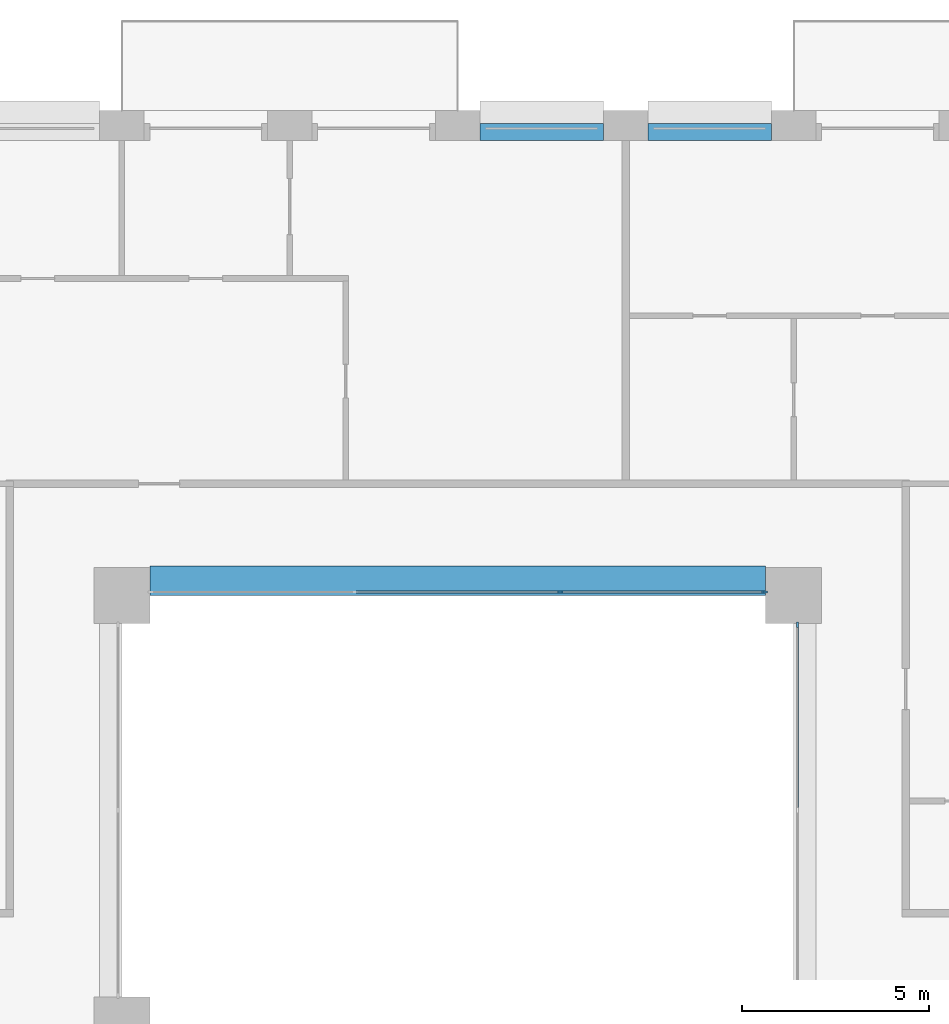
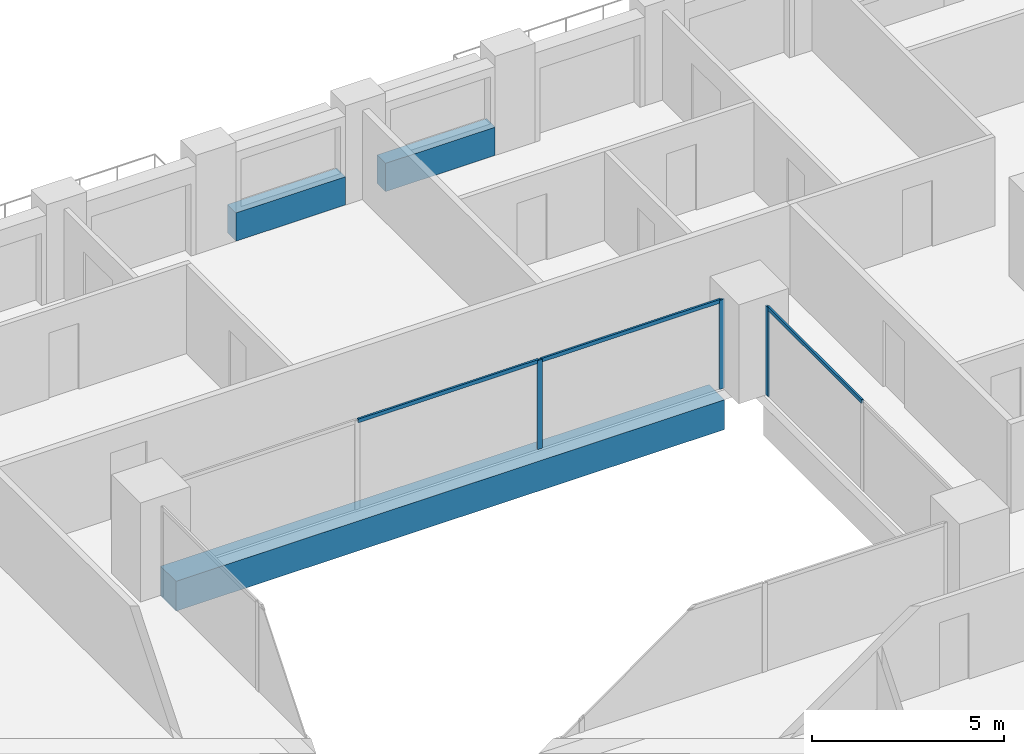
# One storey, part 7 of 20: 6 members, 3 beams, 2 elements without a shape of their own.
"""IFC4 building model written with IfcOpenShell, lengths in metres."""

from ifc_helpers import new_model, si_unit, direction, frame, origin, origin_2d, place, context, subcontext, project, spatial, rectangle, extrude, material, layer, layer_set, material_profile, profile_set, type_object, element, aggregate, save


model = new_model("IFC4")

# Units and contexts
model_context = context("Model", 3, precision=1e-05, world=origin(), true_north=direction((0.0, 1.0)))
body_context = subcontext(model_context, "Body", "Model", "MODEL_VIEW")
ifc_project = project(units=[si_unit("LENGTHUNIT", "METRE"), si_unit("AREAUNIT", "SQUARE_METRE"), si_unit("VOLUMEUNIT", "CUBIC_METRE"), si_unit("PLANEANGLEUNIT", "RADIAN"), si_unit("MASSUNIT", "GRAM", prefix="KILO")], contexts=[model_context])

# Site, building, storey
site_placement = place(None, origin())
site = spatial("IfcSite", under=ifc_project, at=site_placement, CompositionType="ELEMENT")
building_placement = place(site_placement, origin())
building = spatial("IfcBuilding", under=site, at=building_placement, Name="Brigalow Station Residences", CompositionType="ELEMENT")
storey_placement = place(building_placement, frame((0.0, 0.0, 41.550048828125)))
storey = spatial("IfcBuildingStorey", under=building, at=storey_placement, Name="L11", CompositionType="ELEMENT", Elevation=41.550048828125)

# Beam
ifc_material_1 = material(Name="Concrete C65", Category="concrete")
ifc_material_profile_1 = material_profile(ifc_material_1, rectangle(XDim=0.800048828125, YDim=0.949951171875, at=origin_2d()), Name="RC800x950")
ifc_profile_set_1 = profile_set([ifc_material_profile_1], Name="Concrete C65")
beam_type_1 = type_object("IfcBeamType", Name="ATRIUM EDGE GIRDER OVER 13.5 M SPAN 800x950 C65", PredefinedType="BEAM", material=ifc_profile_set_1)
beam_placement = place(storey_placement, frame((27.75, 35.89990234375, -0.795166015625), z_axis=(1.0, 0.0, 0.0), x_axis=(0.0, 1.0, 0.0)))
element("IfcBeam", 1, at=beam_placement, inside=storey, type_object=beam_type_1, Name="ATRIUM EDGE GIRDER D L11", PredefinedType="BEAM", context=body_context, shape_type="SweptSolid", body=[
    extrude(rectangle(XDim=0.800048828125, YDim=0.949951171875, at=origin_2d()), origin(), (0.0, 0.0, 1.0), 16.5),
])

# Curtain wall, member
ifc_material_2 = material(Name="Aluminium", Category="aluminium")
ifc_layer = layer(ifc_material_2, 0.14990234375)
ifc_layer_set = layer_set([ifc_layer], Name="ATRIUM FIRE-RATED GLAZING CURTAIN WALL")
curtain_wall_type = type_object("IfcCurtainWallType", Name="ATRIUM FIRE-RATED GLAZING CURTAIN WALL", PredefinedType="NOTDEFINED", material=ifc_layer_set)
curtain_wall_1_placement = place(storey_placement, origin())
curtain_wall_1 = element("IfcCurtainWall", 2, at=curtain_wall_1_placement, inside=storey, type_object=curtain_wall_type, Name="L11/cw/atrium-E", PredefinedType="NOTDEFINED")
ifc_material_3 = material(Name="Aluminium", Category="aluminium")
ifc_material_profile_2 = material_profile(ifc_material_3, rectangle(XDim=0.06005859375, YDim=0.14990234375, at=origin_2d()), Name="ATRIUM FIRE-RATED GLAZING MULLION 60x150")
ifc_profile_set_2 = profile_set([ifc_material_profile_2], Name="Aluminium")
member_type_1 = type_object("IfcMemberType", Name="ATRIUM FIRE-RATED GLAZING MULLION 60x150", PredefinedType="MULLION", material=ifc_profile_set_2)
member_1_placement = place(storey_placement, frame((45.10009765625, 34.719970703125, 0.0), z_axis=(0.0, 0.0, 1.0), x_axis=(-1.0, 0.0, 0.0)))
member_1 = element("IfcMember", 3, at=member_1_placement, type_object=member_type_1, Name="L11/cw/atrium-E/M02", PredefinedType="MULLION", context=body_context, shape_type="SweptSolid", body=[
    extrude(rectangle(XDim=0.06005859375, YDim=0.14990234375, at=origin_2d()), origin(), (0.0, 0.0, 1.0), 2.829833984375),
])

# Curtain wall, members
curtain_wall_2_placement = place(storey_placement, origin())
curtain_wall_2 = element("IfcCurtainWall", 4, at=curtain_wall_2_placement, inside=storey, type_object=curtain_wall_type, Name="L11/cw/atrium-N", PredefinedType="NOTDEFINED")
member_2_placement = place(storey_placement, frame((44.219970703125, 35.60009765625, 0.0), z_axis=(0.0, 0.0, 1.0), x_axis=(0.0, -1.0, 0.0)))
member_2 = element("IfcMember", 5, at=member_2_placement, type_object=member_type_1, Name="L11/cw/atrium-N/M00", PredefinedType="MULLION", context=body_context, shape_type="SweptSolid", body=[
    extrude(rectangle(XDim=0.06005859375, YDim=0.14990234375, at=origin_2d()), origin(), (0.0, 0.0, 1.0), 2.829833984375),
])
member_3_placement = place(storey_placement, frame((38.75, 35.60009765625, 0.0), z_axis=(0.0, 0.0, 1.0), x_axis=(0.0, -1.0, 0.0)))
member_3 = element("IfcMember", 6, at=member_3_placement, type_object=member_type_1, Name="L11/cw/atrium-N/M01", PredefinedType="MULLION", context=body_context, shape_type="SweptSolid", body=[
    extrude(rectangle(XDim=0.06005859375, YDim=0.14990234375, at=origin_2d()), origin(), (0.0, 0.0, 1.0), 2.829833984375),
])

# Member
ifc_material_4 = material(Name="Aluminium", Category="aluminium")
ifc_material_profile_3 = material_profile(ifc_material_4, rectangle(XDim=0.06005859375, YDim=0.1201171875, at=origin_2d()), Name="ATRIUM FIRE-RATED GLAZING TRANSOM 60x120")
ifc_profile_set_3 = profile_set([ifc_material_profile_3], Name="Aluminium")
member_type_2 = type_object("IfcMemberType", Name="ATRIUM FIRE-RATED GLAZING TRANSOM 60x120", PredefinedType="USERDEFINED", material=ifc_profile_set_3)
member_4_placement = place(storey_placement, frame((45.10009765625, 29.780029296875, 2.800048828125), z_axis=(0.0, 1.0, 0.0), x_axis=(-1.0, 0.0, 0.0)))
member_4 = element("IfcMember", 7, at=member_4_placement, type_object=member_type_2, Name="L11/cw/atrium-E/T01-00", ObjectType="TRANSOM", PredefinedType="USERDEFINED", context=body_context, shape_type="SweptSolid", body=[
    extrude(rectangle(XDim=0.06005859375, YDim=0.1201171875, at=origin_2d()), origin(), (0.0, 0.0, 1.0), 4.909912109375),
])

aggregate(curtain_wall_1, [member_1, member_4])

member_5_placement = place(storey_placement, frame((44.18994140625, 35.60009765625, 2.800048828125), z_axis=(-1.0, 0.0, 0.0), x_axis=(0.0, -1.0, 0.0)))
member_5 = element("IfcMember", 8, at=member_5_placement, type_object=member_type_2, Name="L11/cw/atrium-N/T00-00", ObjectType="TRANSOM", PredefinedType="USERDEFINED", context=body_context, shape_type="SweptSolid", body=[
    extrude(rectangle(XDim=0.06005859375, YDim=0.1201171875, at=origin_2d()), origin(), (0.0, 0.0, 1.0), 5.409912109375),
])

member_6_placement = place(storey_placement, frame((38.719970703125, 35.60009765625, 2.800048828125), z_axis=(-1.0, 0.0, 0.0), x_axis=(0.0, -1.0, 0.0)))
member_6 = element("IfcMember", 9, at=member_6_placement, type_object=member_type_2, Name="L11/cw/atrium-N/T01-00", ObjectType="TRANSOM", PredefinedType="USERDEFINED", context=body_context, shape_type="SweptSolid", body=[
    extrude(rectangle(XDim=0.06005859375, YDim=0.1201171875, at=origin_2d()), origin(), (0.0, 0.0, 1.0), 5.43994140625),
])

aggregate(curtain_wall_2, [member_2, member_3, member_5, member_6])

# Beams
ifc_material_5 = material(Name="Concrete C65", Category="concrete")
ifc_material_profile_4 = material_profile(ifc_material_5, rectangle(XDim=0.449951171875, YDim=0.89990234375, at=origin_2d()), Name="RC450x900")
ifc_profile_set_4 = profile_set([ifc_material_profile_4], Name="Concrete C65")
beam_type_2 = type_object("IfcBeamType", Name="SPANDREL BEAM 450x900 C65", PredefinedType="SPANDREL", material=ifc_profile_set_4)
for number, where, z_axis, x_axis, name in (
    (10, (44.39990234375, 47.925048828125, 0.449951171875), (-1.0, 0.0, 0.0), (0.0, -1.0, 0.0), "L11/spandrel/W-L11-31"),
    (11, (39.89990234375, 47.925048828125, 0.449951171875), (-1.0, 0.0, 0.0), (0.0, -1.0, 0.0), "L11/spandrel/W-L11-32"),
):
    element("IfcBeam", number, at=place(storey_placement, frame(where, z_axis=z_axis, x_axis=x_axis)), inside=storey, type_object=beam_type_2, Name=name, PredefinedType="SPANDREL", context=body_context, shape_type="SweptSolid", body=[
        extrude(rectangle(XDim=0.449951171875, YDim=0.89990234375, at=origin_2d()), origin(), (0.0, 0.0, 1.0), 3.2998046875),
    ])

save(model, "model.ifc")
